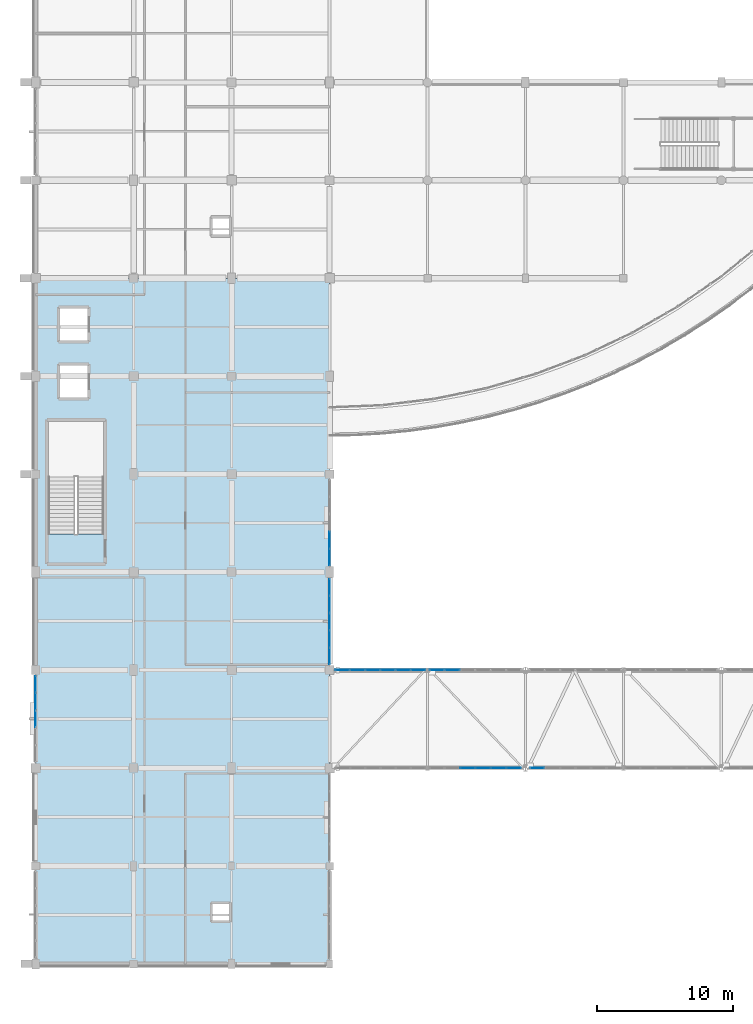
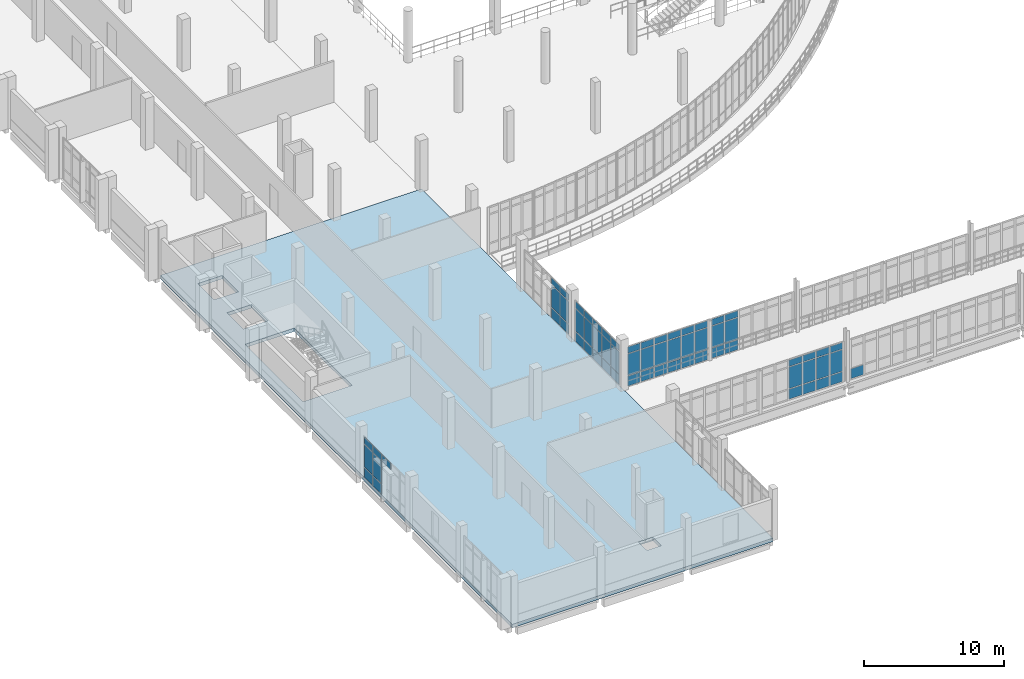
# One storey, part 88 of 124: 65 plates, 1 slab, 7 elements without a shape of their own.
"""IFC4 building model written with IfcOpenShell, lengths in metres."""

from ifc_helpers import new_model, si_unit, direction, frame, origin, origin_2d, place, context, subcontext, project, spatial, polyline, rectangle, outline, extrude, material, layer, layer_set, type_object, element, aggregate, save


model = new_model("IFC4")

# Units and contexts
model_context = context("Model", 3, precision=1e-05, world=origin(), true_north=direction((0.0, 1.0)))
body_context = subcontext(model_context, "Body", "Model", "MODEL_VIEW")
ifc_project = project(units=[si_unit("LENGTHUNIT", "METRE"), si_unit("AREAUNIT", "SQUARE_METRE"), si_unit("VOLUMEUNIT", "CUBIC_METRE"), si_unit("PLANEANGLEUNIT", "RADIAN"), si_unit("MASSUNIT", "GRAM", prefix="KILO")], contexts=[model_context])

# Site, building, storey
site_placement = place(None, origin())
site = spatial("IfcSite", under=ifc_project, at=site_placement, CompositionType="ELEMENT")
building_placement = place(site_placement, origin())
building = spatial("IfcBuilding", under=site, at=building_placement, Name="Kalluvel Institute of Natural Sciences", CompositionType="ELEMENT")
storey_placement = place(building_placement, frame((0.0, 0.0, 9.89990234375)))
storey = spatial("IfcBuildingStorey", under=building, at=storey_placement, Name="L02", CompositionType="ELEMENT", Elevation=9.89990234375)

# Curtain wall, plates
ifc_material_1 = material(Name="Aluminium AW-6063 T6", Category="aluminium")
curtain_wall_type_1 = type_object("IfcCurtainWallType", Name="CW-DRY-45", PredefinedType="USERDEFINED", material=ifc_material_1)
curtain_wall_1_placement = place(storey_placement, origin())
curtain_wall_1 = element("IfcCurtainWall", 1, at=curtain_wall_1_placement, inside=storey, type_object=curtain_wall_type_1, Name="L02 Gothic lancet curtain wall CWA-L02-X140-Y288", ObjectType="UNITISED LANCET FACADE", PredefinedType="USERDEFINED")
ifc_material_2 = material(Name="Solar-Control Low-E Laminated Glass", Category="glass")
ifc_layer_1 = layer(ifc_material_2, 0.028076171875)
ifc_layer_set_1 = layer_set([ifc_layer_1], Name="Solar-Control Low-E Laminated Glass")
plate_type_1 = type_object("IfcPlateType", Name="CWP-DGU-28", PredefinedType="CURTAIN_PANEL", material=ifc_layer_set_1)
plate_1_placement = place(storey_placement, frame((14.0, 32.012451171875, 3.0), z_axis=(0.0, 0.0, 1.0), x_axis=(0.0, 1.0, 0.0)))
plate_1 = element("IfcPlate", 2, at=plate_1_placement, type_object=plate_type_1, Name="CW-03 panel 3.3", PredefinedType="CURTAIN_PANEL", context=body_context, shape_type="SweptSolid", body=[
    extrude(rectangle(XDim=1.22509765625, YDim=0.028076171875, at=origin_2d()), origin(), (0.0, 0.0, 1.0), 0.56005859375),
])
plate_2_placement = place(storey_placement, frame((14.0, 33.297607421875, 0.06005859375), z_axis=(0.0, 0.0, 1.0), x_axis=(0.0, 1.0, 0.0)))
plate_2 = element("IfcPlate", 3, at=plate_2_placement, type_object=plate_type_1, Name="CW-03 panel 4.1", PredefinedType="CURTAIN_PANEL", context=body_context, shape_type="SweptSolid", body=[
    extrude(rectangle(XDim=1.22509765625, YDim=0.028076171875, at=origin_2d()), origin(), (0.0, 0.0, 1.0), 0.860107421875),
])
plate_3_placement = place(storey_placement, frame((14.0, 33.297607421875, 0.980224609375), z_axis=(0.0, 0.0, 1.0), x_axis=(0.0, 1.0, 0.0)))
plate_3 = element("IfcPlate", 4, at=plate_3_placement, type_object=plate_type_1, Name="CW-03 panel 4.2", PredefinedType="CURTAIN_PANEL", context=body_context, shape_type="SweptSolid", body=[
    extrude(rectangle(XDim=1.22509765625, YDim=0.028076171875, at=origin_2d()), origin(), (0.0, 0.0, 1.0), 1.9599609375),
])
plate_4_placement = place(storey_placement, frame((14.0, 33.297607421875, 3.0), z_axis=(0.0, 0.0, 1.0), x_axis=(0.0, 1.0, 0.0)))
plate_4 = element("IfcPlate", 5, at=plate_4_placement, type_object=plate_type_1, Name="CW-03 panel 4.3", PredefinedType="CURTAIN_PANEL", context=body_context, shape_type="SweptSolid", body=[
    extrude(rectangle(XDim=1.22509765625, YDim=0.028076171875, at=origin_2d()), origin(), (0.0, 0.0, 1.0), 0.56005859375),
])
plate_5_placement = place(storey_placement, frame((14.0, 34.5673828125, 0.06005859375), z_axis=(0.0, 0.0, 1.0), x_axis=(0.0, 1.0, 0.0)))
plate_5 = element("IfcPlate", 6, at=plate_5_placement, type_object=plate_type_1, Name="CW-03 panel 5.1", PredefinedType="CURTAIN_PANEL", context=body_context, shape_type="SweptSolid", body=[
    extrude(rectangle(XDim=1.195068359375, YDim=0.028076171875, at=origin_2d()), origin(), (0.0, 0.0, 1.0), 0.860107421875),
])
plate_6_placement = place(storey_placement, frame((14.0, 34.5673828125, 0.980224609375), z_axis=(0.0, 0.0, 1.0), x_axis=(0.0, 1.0, 0.0)))
plate_6 = element("IfcPlate", 7, at=plate_6_placement, type_object=plate_type_1, Name="CW-03 panel 5.2", PredefinedType="CURTAIN_PANEL", context=body_context, shape_type="SweptSolid", body=[
    extrude(rectangle(XDim=1.195068359375, YDim=0.028076171875, at=origin_2d()), origin(), (0.0, 0.0, 1.0), 1.9599609375),
])
plate_7_placement = place(storey_placement, frame((14.0, 34.5673828125, 3.0), z_axis=(0.0, 0.0, 1.0), x_axis=(0.0, 1.0, 0.0)))
plate_7 = element("IfcPlate", 8, at=plate_7_placement, type_object=plate_type_1, Name="CW-03 panel 5.3", PredefinedType="CURTAIN_PANEL", context=body_context, shape_type="SweptSolid", body=[
    extrude(rectangle(XDim=1.195068359375, YDim=0.028076171875, at=origin_2d()), origin(), (0.0, 0.0, 1.0), 0.56005859375),
])
aggregate(curtain_wall_1, [plate_1, plate_2, plate_3, plate_4, plate_5, plate_6, plate_7])

curtain_wall_2_placement = place(storey_placement, origin())
curtain_wall_2 = element("IfcCurtainWall", 9, at=curtain_wall_2_placement, inside=storey, type_object=curtain_wall_type_1, Name="L02 Gothic lancet curtain wall CWA-L02-X356-Y360", ObjectType="UNITISED LANCET FACADE", PredefinedType="USERDEFINED")
plate_8_placement = place(storey_placement, frame((35.60009765625, 36.62744140625, 0.06005859375), z_axis=(0.0, 0.0, 1.0), x_axis=(0.0, 1.0, 0.0)))
plate_8 = element("IfcPlate", 10, at=plate_8_placement, type_object=plate_type_1, Name="CW-03 panel 1.1", PredefinedType="CURTAIN_PANEL", context=body_context, shape_type="SweptSolid", body=[
    extrude(rectangle(XDim=1.18505859375, YDim=0.028076171875, at=origin_2d()), origin(), (0.0, 0.0, 1.0), 0.860107421875),
])
plate_9_placement = place(storey_placement, frame((35.60009765625, 36.62744140625, 0.980224609375), z_axis=(0.0, 0.0, 1.0), x_axis=(0.0, 1.0, 0.0)))
plate_9 = element("IfcPlate", 11, at=plate_9_placement, type_object=plate_type_1, Name="CW-03 panel 1.2", PredefinedType="CURTAIN_PANEL", context=body_context, shape_type="SweptSolid", body=[
    extrude(rectangle(XDim=1.18505859375, YDim=0.028076171875, at=origin_2d()), origin(), (0.0, 0.0, 1.0), 1.9599609375),
])
plate_10_placement = place(storey_placement, frame((35.60009765625, 36.62744140625, 3.0), z_axis=(0.0, 0.0, 1.0), x_axis=(0.0, 1.0, 0.0)))
plate_10 = element("IfcPlate", 12, at=plate_10_placement, type_object=plate_type_1, Name="CW-03 panel 1.3", PredefinedType="CURTAIN_PANEL", context=body_context, shape_type="SweptSolid", body=[
    extrude(rectangle(XDim=1.18505859375, YDim=0.028076171875, at=origin_2d()), origin(), (0.0, 0.0, 1.0), 0.56005859375),
])
plate_11_placement = place(storey_placement, frame((35.60009765625, 37.887451171875, 0.06005859375), z_axis=(0.0, 0.0, 1.0), x_axis=(0.0, 1.0, 0.0)))
plate_11 = element("IfcPlate", 13, at=plate_11_placement, type_object=plate_type_1, Name="CW-03 panel 2.1", PredefinedType="CURTAIN_PANEL", context=body_context, shape_type="SweptSolid", body=[
    extrude(rectangle(XDim=1.215087890625, YDim=0.028076171875, at=origin_2d()), origin(), (0.0, 0.0, 1.0), 0.860107421875),
])
plate_12_placement = place(storey_placement, frame((35.60009765625, 37.887451171875, 0.980224609375), z_axis=(0.0, 0.0, 1.0), x_axis=(0.0, 1.0, 0.0)))
plate_12 = element("IfcPlate", 14, at=plate_12_placement, type_object=plate_type_1, Name="CW-03 panel 2.2", PredefinedType="CURTAIN_PANEL", context=body_context, shape_type="SweptSolid", body=[
    extrude(rectangle(XDim=1.215087890625, YDim=0.028076171875, at=origin_2d()), origin(), (0.0, 0.0, 1.0), 1.9599609375),
])
plate_13_placement = place(storey_placement, frame((35.60009765625, 37.887451171875, 3.0), z_axis=(0.0, 0.0, 1.0), x_axis=(0.0, 1.0, 0.0)))
plate_13 = element("IfcPlate", 15, at=plate_13_placement, type_object=plate_type_1, Name="CW-03 panel 2.3", PredefinedType="CURTAIN_PANEL", context=body_context, shape_type="SweptSolid", body=[
    extrude(rectangle(XDim=1.215087890625, YDim=0.028076171875, at=origin_2d()), origin(), (0.0, 0.0, 1.0), 0.56005859375),
])
plate_14_placement = place(storey_placement, frame((35.60009765625, 39.16259765625, 0.06005859375), z_axis=(0.0, 0.0, 1.0), x_axis=(0.0, 1.0, 0.0)))
plate_14 = element("IfcPlate", 16, at=plate_14_placement, type_object=plate_type_1, Name="CW-03 panel 3.1", PredefinedType="CURTAIN_PANEL", context=body_context, shape_type="SweptSolid", body=[
    extrude(rectangle(XDim=1.215087890625, YDim=0.028076171875, at=origin_2d()), origin(), (0.0, 0.0, 1.0), 0.860107421875),
])
plate_15_placement = place(storey_placement, frame((35.60009765625, 39.16259765625, 0.980224609375), z_axis=(0.0, 0.0, 1.0), x_axis=(0.0, 1.0, 0.0)))
plate_15 = element("IfcPlate", 17, at=plate_15_placement, type_object=plate_type_1, Name="CW-03 panel 3.2", PredefinedType="CURTAIN_PANEL", context=body_context, shape_type="SweptSolid", body=[
    extrude(rectangle(XDim=1.215087890625, YDim=0.028076171875, at=origin_2d()), origin(), (0.0, 0.0, 1.0), 1.9599609375),
])
plate_16_placement = place(storey_placement, frame((35.60009765625, 39.16259765625, 3.0), z_axis=(0.0, 0.0, 1.0), x_axis=(0.0, 1.0, 0.0)))
plate_16 = element("IfcPlate", 18, at=plate_16_placement, type_object=plate_type_1, Name="CW-03 panel 3.3", PredefinedType="CURTAIN_PANEL", context=body_context, shape_type="SweptSolid", body=[
    extrude(rectangle(XDim=1.215087890625, YDim=0.028076171875, at=origin_2d()), origin(), (0.0, 0.0, 1.0), 0.56005859375),
])
plate_17_placement = place(storey_placement, frame((35.60009765625, 40.4375, 0.06005859375), z_axis=(0.0, 0.0, 1.0), x_axis=(0.0, 1.0, 0.0)))
plate_17 = element("IfcPlate", 19, at=plate_17_placement, type_object=plate_type_1, Name="CW-03 panel 4.1", PredefinedType="CURTAIN_PANEL", context=body_context, shape_type="SweptSolid", body=[
    extrude(rectangle(XDim=1.215087890625, YDim=0.028076171875, at=origin_2d()), origin(), (0.0, 0.0, 1.0), 0.860107421875),
])
plate_18_placement = place(storey_placement, frame((35.60009765625, 40.4375, 0.980224609375), z_axis=(0.0, 0.0, 1.0), x_axis=(0.0, 1.0, 0.0)))
plate_18 = element("IfcPlate", 20, at=plate_18_placement, type_object=plate_type_1, Name="CW-03 panel 4.2", PredefinedType="CURTAIN_PANEL", context=body_context, shape_type="SweptSolid", body=[
    extrude(rectangle(XDim=1.215087890625, YDim=0.028076171875, at=origin_2d()), origin(), (0.0, 0.0, 1.0), 1.9599609375),
])
plate_19_placement = place(storey_placement, frame((35.60009765625, 40.4375, 3.0), z_axis=(0.0, 0.0, 1.0), x_axis=(0.0, 1.0, 0.0)))
plate_19 = element("IfcPlate", 21, at=plate_19_placement, type_object=plate_type_1, Name="CW-03 panel 4.3", PredefinedType="CURTAIN_PANEL", context=body_context, shape_type="SweptSolid", body=[
    extrude(rectangle(XDim=1.215087890625, YDim=0.028076171875, at=origin_2d()), origin(), (0.0, 0.0, 1.0), 0.56005859375),
])
plate_20_placement = place(storey_placement, frame((35.60009765625, 41.697509765625, 0.06005859375), z_axis=(0.0, 0.0, 1.0), x_axis=(0.0, 1.0, 0.0)))
plate_20 = element("IfcPlate", 22, at=plate_20_placement, type_object=plate_type_1, Name="CW-03 panel 5.1", PredefinedType="CURTAIN_PANEL", context=body_context, shape_type="SweptSolid", body=[
    extrude(rectangle(XDim=1.18505859375, YDim=0.028076171875, at=origin_2d()), origin(), (0.0, 0.0, 1.0), 0.860107421875),
])
plate_21_placement = place(storey_placement, frame((35.60009765625, 41.697509765625, 0.980224609375), z_axis=(0.0, 0.0, 1.0), x_axis=(0.0, 1.0, 0.0)))
plate_21 = element("IfcPlate", 23, at=plate_21_placement, type_object=plate_type_1, Name="CW-03 panel 5.2", PredefinedType="CURTAIN_PANEL", context=body_context, shape_type="SweptSolid", body=[
    extrude(rectangle(XDim=1.18505859375, YDim=0.028076171875, at=origin_2d()), origin(), (0.0, 0.0, 1.0), 1.9599609375),
])
plate_22_placement = place(storey_placement, frame((35.60009765625, 41.697509765625, 3.0), z_axis=(0.0, 0.0, 1.0), x_axis=(0.0, 1.0, 0.0)))
plate_22 = element("IfcPlate", 24, at=plate_22_placement, type_object=plate_type_1, Name="CW-03 panel 5.3", PredefinedType="CURTAIN_PANEL", context=body_context, shape_type="SweptSolid", body=[
    extrude(rectangle(XDim=1.18505859375, YDim=0.028076171875, at=origin_2d()), origin(), (0.0, 0.0, 1.0), 0.56005859375),
])
aggregate(curtain_wall_2, [plate_8, plate_9, plate_10, plate_11, plate_12, plate_13, plate_14, plate_15, plate_16, plate_17, plate_18, plate_19, plate_20, plate_21, plate_22])

curtain_wall_3_placement = place(storey_placement, origin())
curtain_wall_3 = element("IfcCurtainWall", 25, at=curtain_wall_3_placement, inside=storey, type_object=curtain_wall_type_1, Name="L02 Gothic lancet curtain wall CWA-L02-X356-Y432", ObjectType="UNITISED LANCET FACADE", PredefinedType="USERDEFINED")
plate_23_placement = place(storey_placement, frame((35.60009765625, 43.902587890625, 0.06005859375), z_axis=(0.0, 0.0, 1.0), x_axis=(0.0, 1.0, 0.0)))
plate_23 = element("IfcPlate", 26, at=plate_23_placement, type_object=plate_type_1, Name="CW-03 panel 1.1", PredefinedType="CURTAIN_PANEL", context=body_context, shape_type="SweptSolid", body=[
    extrude(rectangle(XDim=1.18505859375, YDim=0.028076171875, at=origin_2d()), origin(), (0.0, 0.0, 1.0), 0.860107421875),
])
plate_24_placement = place(storey_placement, frame((35.60009765625, 43.902587890625, 0.980224609375), z_axis=(0.0, 0.0, 1.0), x_axis=(0.0, 1.0, 0.0)))
plate_24 = element("IfcPlate", 27, at=plate_24_placement, type_object=plate_type_1, Name="CW-03 panel 1.2", PredefinedType="CURTAIN_PANEL", context=body_context, shape_type="SweptSolid", body=[
    extrude(rectangle(XDim=1.18505859375, YDim=0.028076171875, at=origin_2d()), origin(), (0.0, 0.0, 1.0), 1.9599609375),
])
plate_25_placement = place(storey_placement, frame((35.60009765625, 43.902587890625, 3.0), z_axis=(0.0, 0.0, 1.0), x_axis=(0.0, 1.0, 0.0)))
plate_25 = element("IfcPlate", 28, at=plate_25_placement, type_object=plate_type_1, Name="CW-03 panel 1.3", PredefinedType="CURTAIN_PANEL", context=body_context, shape_type="SweptSolid", body=[
    extrude(rectangle(XDim=1.18505859375, YDim=0.028076171875, at=origin_2d()), origin(), (0.0, 0.0, 1.0), 0.56005859375),
])
plate_26_placement = place(storey_placement, frame((35.60009765625, 45.16259765625, 0.06005859375), z_axis=(0.0, 0.0, 1.0), x_axis=(0.0, 1.0, 0.0)))
plate_26 = element("IfcPlate", 29, at=plate_26_placement, type_object=plate_type_1, Name="CW-03 panel 2.1", PredefinedType="CURTAIN_PANEL", context=body_context, shape_type="SweptSolid", body=[
    extrude(rectangle(XDim=1.215087890625, YDim=0.028076171875, at=origin_2d()), origin(), (0.0, 0.0, 1.0), 0.860107421875),
])
plate_27_placement = place(storey_placement, frame((35.60009765625, 45.16259765625, 0.980224609375), z_axis=(0.0, 0.0, 1.0), x_axis=(0.0, 1.0, 0.0)))
plate_27 = element("IfcPlate", 30, at=plate_27_placement, type_object=plate_type_1, Name="CW-03 panel 2.2", PredefinedType="CURTAIN_PANEL", context=body_context, shape_type="SweptSolid", body=[
    extrude(rectangle(XDim=1.215087890625, YDim=0.028076171875, at=origin_2d()), origin(), (0.0, 0.0, 1.0), 1.9599609375),
])
plate_28_placement = place(storey_placement, frame((35.60009765625, 45.16259765625, 3.0), z_axis=(0.0, 0.0, 1.0), x_axis=(0.0, 1.0, 0.0)))
plate_28 = element("IfcPlate", 31, at=plate_28_placement, type_object=plate_type_1, Name="CW-03 panel 2.3", PredefinedType="CURTAIN_PANEL", context=body_context, shape_type="SweptSolid", body=[
    extrude(rectangle(XDim=1.215087890625, YDim=0.028076171875, at=origin_2d()), origin(), (0.0, 0.0, 1.0), 0.56005859375),
])
aggregate(curtain_wall_3, [plate_23, plate_24, plate_25, plate_26, plate_27, plate_28])

curtain_wall_type_2 = type_object("IfcCurtainWallType", Name="CW-BRG-45", PredefinedType="USERDEFINED", material=ifc_material_1)
curtain_wall_4_placement = place(storey_placement, origin())
curtain_wall_4 = element("IfcCurtainWall", 32, at=curtain_wall_4_placement, inside=storey, type_object=curtain_wall_type_2, Name="L02 Gothic lancet curtain wall CWA-L02-X360-Y356", ObjectType="UNITISED LANCET FACADE", PredefinedType="USERDEFINED")
ifc_layer_2 = layer(ifc_material_2, 0.031982421875)
ifc_layer_set_2 = layer_set([ifc_layer_2], Name="Solar-Control Low-E Laminated Glass")
plate_type_2 = type_object("IfcPlateType", Name="CWP-DGU-32", PredefinedType="CURTAIN_PANEL", material=ifc_layer_set_2)
plate_29_placement = place(storey_placement, frame((36.549560546875, 35.60009765625, 0.06005859375), z_axis=(0.0, 0.0, 1.0), x_axis=(1.0, 0.0, 0.0)))
plate_29 = element("IfcPlate", 33, at=plate_29_placement, type_object=plate_type_2, Name="CW-07 panel 1.1", PredefinedType="CURTAIN_PANEL", context=body_context, shape_type="SweptSolid", body=[
    extrude(rectangle(XDim=1.029052734375, YDim=0.031982421875, at=origin_2d()), origin(), (0.0, 0.0, 1.0), 0.860107421875),
])
plate_30_placement = place(storey_placement, frame((36.549560546875, 35.60009765625, 0.980224609375), z_axis=(0.0, 0.0, 1.0), x_axis=(1.0, 0.0, 0.0)))
plate_30 = element("IfcPlate", 34, at=plate_30_placement, type_object=plate_type_2, Name="CW-07 panel 1.2", PredefinedType="CURTAIN_PANEL", context=body_context, shape_type="SweptSolid", body=[
    extrude(rectangle(XDim=1.029052734375, YDim=0.031982421875, at=origin_2d()), origin(), (0.0, 0.0, 1.0), 1.8798828125),
])
plate_31_placement = place(storey_placement, frame((36.549560546875, 35.60009765625, 2.920166015625), z_axis=(0.0, 0.0, 1.0), x_axis=(1.0, 0.0, 0.0)))
plate_31 = element("IfcPlate", 35, at=plate_31_placement, type_object=plate_type_2, Name="CW-07 panel 1.3", PredefinedType="CURTAIN_PANEL", context=body_context, shape_type="SweptSolid", body=[
    extrude(rectangle(XDim=1.029052734375, YDim=0.031982421875, at=origin_2d()), origin(), (0.0, 0.0, 1.0), 0.56005859375),
])
plate_32_placement = place(storey_placement, frame((37.65380859375, 35.60009765625, 0.06005859375), z_axis=(0.0, 0.0, 1.0), x_axis=(1.0, 0.0, 0.0)))
plate_32 = element("IfcPlate", 36, at=plate_32_placement, type_object=plate_type_2, Name="CW-07 panel 2.1", PredefinedType="CURTAIN_PANEL", context=body_context, shape_type="SweptSolid", body=[
    extrude(rectangle(XDim=1.05908203125, YDim=0.031982421875, at=origin_2d()), origin(), (0.0, 0.0, 1.0), 0.860107421875),
])
plate_33_placement = place(storey_placement, frame((37.65380859375, 35.60009765625, 0.980224609375), z_axis=(0.0, 0.0, 1.0), x_axis=(1.0, 0.0, 0.0)))
plate_33 = element("IfcPlate", 37, at=plate_33_placement, type_object=plate_type_2, Name="CW-07 panel 2.2", PredefinedType="CURTAIN_PANEL", context=body_context, shape_type="SweptSolid", body=[
    extrude(rectangle(XDim=1.05908203125, YDim=0.031982421875, at=origin_2d()), origin(), (0.0, 0.0, 1.0), 1.8798828125),
])
plate_34_placement = place(storey_placement, frame((37.65380859375, 35.60009765625, 2.920166015625), z_axis=(0.0, 0.0, 1.0), x_axis=(1.0, 0.0, 0.0)))
plate_34 = element("IfcPlate", 38, at=plate_34_placement, type_object=plate_type_2, Name="CW-07 panel 2.3", PredefinedType="CURTAIN_PANEL", context=body_context, shape_type="SweptSolid", body=[
    extrude(rectangle(XDim=1.05908203125, YDim=0.031982421875, at=origin_2d()), origin(), (0.0, 0.0, 1.0), 0.56005859375),
])
plate_35_placement = place(storey_placement, frame((38.77294921875, 35.60009765625, 0.06005859375), z_axis=(0.0, 0.0, 1.0), x_axis=(1.0, 0.0, 0.0)))
plate_35 = element("IfcPlate", 39, at=plate_35_placement, type_object=plate_type_2, Name="CW-07 panel 3.1", PredefinedType="CURTAIN_PANEL", context=body_context, shape_type="SweptSolid", body=[
    extrude(rectangle(XDim=1.05908203125, YDim=0.031982421875, at=origin_2d()), origin(), (0.0, 0.0, 1.0), 0.860107421875),
])
plate_36_placement = place(storey_placement, frame((38.77294921875, 35.60009765625, 0.980224609375), z_axis=(0.0, 0.0, 1.0), x_axis=(1.0, 0.0, 0.0)))
plate_36 = element("IfcPlate", 40, at=plate_36_placement, type_object=plate_type_2, Name="CW-07 panel 3.2", PredefinedType="CURTAIN_PANEL", context=body_context, shape_type="SweptSolid", body=[
    extrude(rectangle(XDim=1.05908203125, YDim=0.031982421875, at=origin_2d()), origin(), (0.0, 0.0, 1.0), 1.8798828125),
])
plate_37_placement = place(storey_placement, frame((38.77294921875, 35.60009765625, 2.920166015625), z_axis=(0.0, 0.0, 1.0), x_axis=(1.0, 0.0, 0.0)))
plate_37 = element("IfcPlate", 41, at=plate_37_placement, type_object=plate_type_2, Name="CW-07 panel 3.3", PredefinedType="CURTAIN_PANEL", context=body_context, shape_type="SweptSolid", body=[
    extrude(rectangle(XDim=1.05908203125, YDim=0.031982421875, at=origin_2d()), origin(), (0.0, 0.0, 1.0), 0.56005859375),
])
plate_38_placement = place(storey_placement, frame((39.89208984375, 35.60009765625, 0.06005859375), z_axis=(0.0, 0.0, 1.0), x_axis=(1.0, 0.0, 0.0)))
plate_38 = element("IfcPlate", 42, at=plate_38_placement, type_object=plate_type_2, Name="CW-07 panel 4.1", PredefinedType="CURTAIN_PANEL", context=body_context, shape_type="SweptSolid", body=[
    extrude(rectangle(XDim=1.05908203125, YDim=0.031982421875, at=origin_2d()), origin(), (0.0, 0.0, 1.0), 0.860107421875),
])
plate_39_placement = place(storey_placement, frame((39.89208984375, 35.60009765625, 0.980224609375), z_axis=(0.0, 0.0, 1.0), x_axis=(1.0, 0.0, 0.0)))
plate_39 = element("IfcPlate", 43, at=plate_39_placement, type_object=plate_type_2, Name="CW-07 panel 4.2", PredefinedType="CURTAIN_PANEL", context=body_context, shape_type="SweptSolid", body=[
    extrude(rectangle(XDim=1.05908203125, YDim=0.031982421875, at=origin_2d()), origin(), (0.0, 0.0, 1.0), 1.8798828125),
])
plate_40_placement = place(storey_placement, frame((39.89208984375, 35.60009765625, 2.920166015625), z_axis=(0.0, 0.0, 1.0), x_axis=(1.0, 0.0, 0.0)))
plate_40 = element("IfcPlate", 44, at=plate_40_placement, type_object=plate_type_2, Name="CW-07 panel 4.3", PredefinedType="CURTAIN_PANEL", context=body_context, shape_type="SweptSolid", body=[
    extrude(rectangle(XDim=1.05908203125, YDim=0.031982421875, at=origin_2d()), origin(), (0.0, 0.0, 1.0), 0.56005859375),
])
plate_41_placement = place(storey_placement, frame((41.01123046875, 35.60009765625, 0.06005859375), z_axis=(0.0, 0.0, 1.0), x_axis=(1.0, 0.0, 0.0)))
plate_41 = element("IfcPlate", 45, at=plate_41_placement, type_object=plate_type_2, Name="CW-07 panel 5.1", PredefinedType="CURTAIN_PANEL", context=body_context, shape_type="SweptSolid", body=[
    extrude(rectangle(XDim=1.05908203125, YDim=0.031982421875, at=origin_2d()), origin(), (0.0, 0.0, 1.0), 0.860107421875),
])
plate_42_placement = place(storey_placement, frame((41.01123046875, 35.60009765625, 0.980224609375), z_axis=(0.0, 0.0, 1.0), x_axis=(1.0, 0.0, 0.0)))
plate_42 = element("IfcPlate", 46, at=plate_42_placement, type_object=plate_type_2, Name="CW-07 panel 5.2", PredefinedType="CURTAIN_PANEL", context=body_context, shape_type="SweptSolid", body=[
    extrude(rectangle(XDim=1.05908203125, YDim=0.031982421875, at=origin_2d()), origin(), (0.0, 0.0, 1.0), 1.8798828125),
])
plate_43_placement = place(storey_placement, frame((41.01123046875, 35.60009765625, 2.920166015625), z_axis=(0.0, 0.0, 1.0), x_axis=(1.0, 0.0, 0.0)))
plate_43 = element("IfcPlate", 47, at=plate_43_placement, type_object=plate_type_2, Name="CW-07 panel 5.3", PredefinedType="CURTAIN_PANEL", context=body_context, shape_type="SweptSolid", body=[
    extrude(rectangle(XDim=1.05908203125, YDim=0.031982421875, at=origin_2d()), origin(), (0.0, 0.0, 1.0), 0.56005859375),
])
plate_44_placement = place(storey_placement, frame((42.115478515625, 35.60009765625, 0.06005859375), z_axis=(0.0, 0.0, 1.0), x_axis=(1.0, 0.0, 0.0)))
plate_44 = element("IfcPlate", 48, at=plate_44_placement, type_object=plate_type_2, Name="CW-07 panel 6.1", PredefinedType="CURTAIN_PANEL", context=body_context, shape_type="SweptSolid", body=[
    extrude(rectangle(XDim=1.029052734375, YDim=0.031982421875, at=origin_2d()), origin(), (0.0, 0.0, 1.0), 0.860107421875),
])
plate_45_placement = place(storey_placement, frame((42.115478515625, 35.60009765625, 0.980224609375), z_axis=(0.0, 0.0, 1.0), x_axis=(1.0, 0.0, 0.0)))
plate_45 = element("IfcPlate", 49, at=plate_45_placement, type_object=plate_type_2, Name="CW-07 panel 6.2", PredefinedType="CURTAIN_PANEL", context=body_context, shape_type="SweptSolid", body=[
    extrude(rectangle(XDim=1.029052734375, YDim=0.031982421875, at=origin_2d()), origin(), (0.0, 0.0, 1.0), 1.8798828125),
])
plate_46_placement = place(storey_placement, frame((42.115478515625, 35.60009765625, 2.920166015625), z_axis=(0.0, 0.0, 1.0), x_axis=(1.0, 0.0, 0.0)))
plate_46 = element("IfcPlate", 50, at=plate_46_placement, type_object=plate_type_2, Name="CW-07 panel 6.3", PredefinedType="CURTAIN_PANEL", context=body_context, shape_type="SweptSolid", body=[
    extrude(rectangle(XDim=1.029052734375, YDim=0.031982421875, at=origin_2d()), origin(), (0.0, 0.0, 1.0), 0.56005859375),
])
aggregate(curtain_wall_4, [plate_29, plate_30, plate_31, plate_32, plate_33, plate_34, plate_35, plate_36, plate_37, plate_38, plate_39, plate_40, plate_41, plate_42, plate_43, plate_44, plate_45, plate_46])

curtain_wall_5_placement = place(storey_placement, origin())
curtain_wall_5 = element("IfcCurtainWall", 51, at=curtain_wall_5_placement, inside=storey, type_object=curtain_wall_type_2, Name="L02 Gothic lancet curtain wall CWA-L02-X429-Y284", ObjectType="UNITISED LANCET FACADE", PredefinedType="USERDEFINED")
plate_47_placement = place(storey_placement, frame((45.74951171875, 28.39990234375, 0.06005859375), z_axis=(0.0, 0.0, 1.0), x_axis=(1.0, 0.0, 0.0)))
plate_47 = element("IfcPlate", 52, at=plate_47_placement, type_object=plate_type_2, Name="CW-07 panel 3.1", PredefinedType="CURTAIN_PANEL", context=body_context, shape_type="SweptSolid", body=[
    extrude(rectangle(XDim=1.075927734375, YDim=0.031982421875, at=origin_2d()), origin(), (0.0, 0.0, 1.0), 0.860107421875),
])
plate_48_placement = place(storey_placement, frame((45.74951171875, 28.39990234375, 0.980224609375), z_axis=(0.0, 0.0, 1.0), x_axis=(1.0, 0.0, 0.0)))
plate_48 = element("IfcPlate", 53, at=plate_48_placement, type_object=plate_type_2, Name="CW-07 panel 3.2", PredefinedType="CURTAIN_PANEL", context=body_context, shape_type="SweptSolid", body=[
    extrude(rectangle(XDim=1.075927734375, YDim=0.031982421875, at=origin_2d()), origin(), (0.0, 0.0, 1.0), 1.8798828125),
])
plate_49_placement = place(storey_placement, frame((45.74951171875, 28.39990234375, 2.920166015625), z_axis=(0.0, 0.0, 1.0), x_axis=(1.0, 0.0, 0.0)))
plate_49 = element("IfcPlate", 54, at=plate_49_placement, type_object=plate_type_2, Name="CW-07 panel 3.3", PredefinedType="CURTAIN_PANEL", context=body_context, shape_type="SweptSolid", body=[
    extrude(rectangle(XDim=1.075927734375, YDim=0.031982421875, at=origin_2d()), origin(), (0.0, 0.0, 1.0), 0.56005859375),
])
plate_50_placement = place(storey_placement, frame((46.885498046875, 28.39990234375, 0.06005859375), z_axis=(0.0, 0.0, 1.0), x_axis=(1.0, 0.0, 0.0)))
plate_50 = element("IfcPlate", 55, at=plate_50_placement, type_object=plate_type_2, Name="CW-07 panel 4.1", PredefinedType="CURTAIN_PANEL", context=body_context, shape_type="SweptSolid", body=[
    extrude(rectangle(XDim=1.075927734375, YDim=0.031982421875, at=origin_2d()), origin(), (0.0, 0.0, 1.0), 0.860107421875),
])
plate_51_placement = place(storey_placement, frame((46.885498046875, 28.39990234375, 0.980224609375), z_axis=(0.0, 0.0, 1.0), x_axis=(1.0, 0.0, 0.0)))
plate_51 = element("IfcPlate", 56, at=plate_51_placement, type_object=plate_type_2, Name="CW-07 panel 4.2", PredefinedType="CURTAIN_PANEL", context=body_context, shape_type="SweptSolid", body=[
    extrude(rectangle(XDim=1.075927734375, YDim=0.031982421875, at=origin_2d()), origin(), (0.0, 0.0, 1.0), 1.8798828125),
])
plate_52_placement = place(storey_placement, frame((46.885498046875, 28.39990234375, 2.920166015625), z_axis=(0.0, 0.0, 1.0), x_axis=(1.0, 0.0, 0.0)))
plate_52 = element("IfcPlate", 57, at=plate_52_placement, type_object=plate_type_2, Name="CW-07 panel 4.3", PredefinedType="CURTAIN_PANEL", context=body_context, shape_type="SweptSolid", body=[
    extrude(rectangle(XDim=1.075927734375, YDim=0.031982421875, at=origin_2d()), origin(), (0.0, 0.0, 1.0), 0.56005859375),
])
plate_53_placement = place(storey_placement, frame((48.021240234375, 28.39990234375, 0.06005859375), z_axis=(0.0, 0.0, 1.0), x_axis=(1.0, 0.0, 0.0)))
plate_53 = element("IfcPlate", 58, at=plate_53_placement, type_object=plate_type_2, Name="CW-07 panel 5.1", PredefinedType="CURTAIN_PANEL", context=body_context, shape_type="SweptSolid", body=[
    extrude(rectangle(XDim=1.075927734375, YDim=0.031982421875, at=origin_2d()), origin(), (0.0, 0.0, 1.0), 0.860107421875),
])
plate_54_placement = place(storey_placement, frame((48.021240234375, 28.39990234375, 0.980224609375), z_axis=(0.0, 0.0, 1.0), x_axis=(1.0, 0.0, 0.0)))
plate_54 = element("IfcPlate", 59, at=plate_54_placement, type_object=plate_type_2, Name="CW-07 panel 5.2", PredefinedType="CURTAIN_PANEL", context=body_context, shape_type="SweptSolid", body=[
    extrude(rectangle(XDim=1.075927734375, YDim=0.031982421875, at=origin_2d()), origin(), (0.0, 0.0, 1.0), 1.8798828125),
])
plate_55_placement = place(storey_placement, frame((48.021240234375, 28.39990234375, 2.920166015625), z_axis=(0.0, 0.0, 1.0), x_axis=(1.0, 0.0, 0.0)))
plate_55 = element("IfcPlate", 60, at=plate_55_placement, type_object=plate_type_2, Name="CW-07 panel 5.3", PredefinedType="CURTAIN_PANEL", context=body_context, shape_type="SweptSolid", body=[
    extrude(rectangle(XDim=1.075927734375, YDim=0.031982421875, at=origin_2d()), origin(), (0.0, 0.0, 1.0), 0.56005859375),
])
plate_56_placement = place(storey_placement, frame((49.14208984375, 28.39990234375, 0.06005859375), z_axis=(0.0, 0.0, 1.0), x_axis=(1.0, 0.0, 0.0)))
plate_56 = element("IfcPlate", 61, at=plate_56_placement, type_object=plate_type_2, Name="CW-07 panel 6.1", PredefinedType="CURTAIN_PANEL", context=body_context, shape_type="SweptSolid", body=[
    extrude(rectangle(XDim=1.0458984375, YDim=0.031982421875, at=origin_2d()), origin(), (0.0, 0.0, 1.0), 0.860107421875),
])
plate_57_placement = place(storey_placement, frame((49.14208984375, 28.39990234375, 0.980224609375), z_axis=(0.0, 0.0, 1.0), x_axis=(1.0, 0.0, 0.0)))
plate_57 = element("IfcPlate", 62, at=plate_57_placement, type_object=plate_type_2, Name="CW-07 panel 6.2", PredefinedType="CURTAIN_PANEL", context=body_context, shape_type="SweptSolid", body=[
    extrude(rectangle(XDim=1.0458984375, YDim=0.031982421875, at=origin_2d()), origin(), (0.0, 0.0, 1.0), 1.8798828125),
])
plate_58_placement = place(storey_placement, frame((49.14208984375, 28.39990234375, 2.920166015625), z_axis=(0.0, 0.0, 1.0), x_axis=(1.0, 0.0, 0.0)))
plate_58 = element("IfcPlate", 63, at=plate_58_placement, type_object=plate_type_2, Name="CW-07 panel 6.3", PredefinedType="CURTAIN_PANEL", context=body_context, shape_type="SweptSolid", body=[
    extrude(rectangle(XDim=1.0458984375, YDim=0.031982421875, at=origin_2d()), origin(), (0.0, 0.0, 1.0), 0.56005859375),
])
aggregate(curtain_wall_5, [plate_47, plate_48, plate_49, plate_50, plate_51, plate_52, plate_53, plate_54, plate_55, plate_56, plate_57, plate_58])

curtain_wall_6_placement = place(storey_placement, origin())
curtain_wall_6 = element("IfcCurtainWall", 64, at=curtain_wall_6_placement, inside=storey, type_object=curtain_wall_type_2, Name="L02 Gothic lancet curtain wall CWA-L02-X429-Y356", ObjectType="UNITISED LANCET FACADE", PredefinedType="USERDEFINED")
plate_59_placement = place(storey_placement, frame((43.492919921875, 35.60009765625, 0.06005859375), z_axis=(0.0, 0.0, 1.0), x_axis=(1.0, 0.0, 0.0)))
plate_59 = element("IfcPlate", 65, at=plate_59_placement, type_object=plate_type_2, Name="CW-07 panel 1.1", PredefinedType="CURTAIN_PANEL", context=body_context, shape_type="SweptSolid", body=[
    extrude(rectangle(XDim=1.0458984375, YDim=0.031982421875, at=origin_2d()), origin(), (0.0, 0.0, 1.0), 0.860107421875),
])
plate_60_placement = place(storey_placement, frame((43.492919921875, 35.60009765625, 0.980224609375), z_axis=(0.0, 0.0, 1.0), x_axis=(1.0, 0.0, 0.0)))
plate_60 = element("IfcPlate", 66, at=plate_60_placement, type_object=plate_type_2, Name="CW-07 panel 1.2", PredefinedType="CURTAIN_PANEL", context=body_context, shape_type="SweptSolid", body=[
    extrude(rectangle(XDim=1.0458984375, YDim=0.031982421875, at=origin_2d()), origin(), (0.0, 0.0, 1.0), 1.8798828125),
])
plate_61_placement = place(storey_placement, frame((43.492919921875, 35.60009765625, 2.920166015625), z_axis=(0.0, 0.0, 1.0), x_axis=(1.0, 0.0, 0.0)))
plate_61 = element("IfcPlate", 67, at=plate_61_placement, type_object=plate_type_2, Name="CW-07 panel 1.3", PredefinedType="CURTAIN_PANEL", context=body_context, shape_type="SweptSolid", body=[
    extrude(rectangle(XDim=1.0458984375, YDim=0.031982421875, at=origin_2d()), origin(), (0.0, 0.0, 1.0), 0.56005859375),
])
plate_62_placement = place(storey_placement, frame((44.61376953125, 35.60009765625, 0.06005859375), z_axis=(0.0, 0.0, 1.0), x_axis=(1.0, 0.0, 0.0)))
plate_62 = element("IfcPlate", 68, at=plate_62_placement, type_object=plate_type_2, Name="CW-07 panel 2.1", PredefinedType="CURTAIN_PANEL", context=body_context, shape_type="SweptSolid", body=[
    extrude(rectangle(XDim=1.075927734375, YDim=0.031982421875, at=origin_2d()), origin(), (0.0, 0.0, 1.0), 0.860107421875),
])
plate_63_placement = place(storey_placement, frame((44.61376953125, 35.60009765625, 0.980224609375), z_axis=(0.0, 0.0, 1.0), x_axis=(1.0, 0.0, 0.0)))
plate_63 = element("IfcPlate", 69, at=plate_63_placement, type_object=plate_type_2, Name="CW-07 panel 2.2", PredefinedType="CURTAIN_PANEL", context=body_context, shape_type="SweptSolid", body=[
    extrude(rectangle(XDim=1.075927734375, YDim=0.031982421875, at=origin_2d()), origin(), (0.0, 0.0, 1.0), 1.8798828125),
])
plate_64_placement = place(storey_placement, frame((44.61376953125, 35.60009765625, 2.920166015625), z_axis=(0.0, 0.0, 1.0), x_axis=(1.0, 0.0, 0.0)))
plate_64 = element("IfcPlate", 70, at=plate_64_placement, type_object=plate_type_2, Name="CW-07 panel 2.3", PredefinedType="CURTAIN_PANEL", context=body_context, shape_type="SweptSolid", body=[
    extrude(rectangle(XDim=1.075927734375, YDim=0.031982421875, at=origin_2d()), origin(), (0.0, 0.0, 1.0), 0.56005859375),
])
aggregate(curtain_wall_6, [plate_59, plate_60, plate_61, plate_62, plate_63, plate_64])

# Curtain wall, plate
curtain_wall_7_placement = place(storey_placement, origin())
curtain_wall_7 = element("IfcCurtainWall", 71, at=curtain_wall_7_placement, inside=storey, type_object=curtain_wall_type_2, Name="L02 Gothic lancet curtain wall CWA-L02-X503-Y284", ObjectType="UNITISED LANCET FACADE", PredefinedType="USERDEFINED")
plate_65_placement = place(storey_placement, frame((50.85791015625, 28.39990234375, 0.06005859375), z_axis=(0.0, 0.0, 1.0), x_axis=(1.0, 0.0, 0.0)))
plate_65 = element("IfcPlate", 72, at=plate_65_placement, type_object=plate_type_2, Name="CW-07 panel 1.1", PredefinedType="CURTAIN_PANEL", context=body_context, shape_type="SweptSolid", body=[
    extrude(rectangle(XDim=1.0458984375, YDim=0.031982421875, at=origin_2d()), origin(), (0.0, 0.0, 1.0), 0.860107421875),
])
aggregate(curtain_wall_7, [plate_65])

# Slab
ifc_material_3 = material(Name="Concrete M40", Category="concrete")
ifc_layer_3 = layer(ifc_material_3, 0.300048828125)
ifc_layer_set_3 = layer_set([ifc_layer_3], Name="Concrete M40")
slab_type = type_object("IfcSlabType", Name="SLB-DRY-300", PredefinedType="FLOOR", material=ifc_layer_set_3)
slab_placement = place(storey_placement, frame((0.0, 0.0, -0.2998046875)))
element("IfcSlab", 73, at=slab_placement, inside=storey, type_object=slab_type, Name="L02 Dry Laboratory Floor Slab S", PredefinedType="FLOOR", context=body_context, shape_type="SweptSolid", body=[
    extrude(outline(polyline([(14.0, 14.0), (35.60009765625, 14.0), (35.60009765625, 64.39990234375), (14.0, 64.39990234375), (14.0, 14.0)]), holes=[polyline([(28.199951171875, 18.39990234375), (28.199951171875, 17.199951171875), (27.0, 17.199951171875), (27.0, 18.39990234375), (28.199951171875, 18.39990234375)]), polyline([(14.929931640625, 53.89990234375), (19.0, 53.89990234375), (19.0, 45.617919921875), (14.929931640625, 45.617919921875), (14.929931640625, 53.89990234375)]), polyline([(17.820068359375, 57.969970703125), (17.820068359375, 55.6298828125), (15.780029296875, 55.6298828125), (15.780029296875, 57.969970703125), (17.820068359375, 57.969970703125)]), polyline([(17.820068359375, 62.169921875), (17.820068359375, 59.830078125), (15.780029296875, 59.830078125), (15.780029296875, 62.169921875), (17.820068359375, 62.169921875)])]), origin(), (0.0, 0.0, 1.0), 0.2998046875),
])

save(model, "model.ifc")
